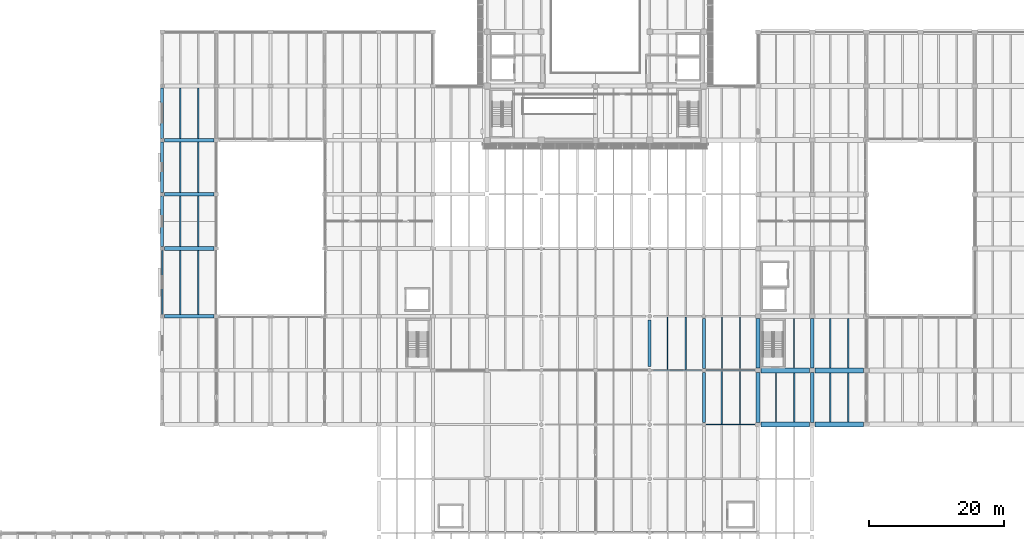
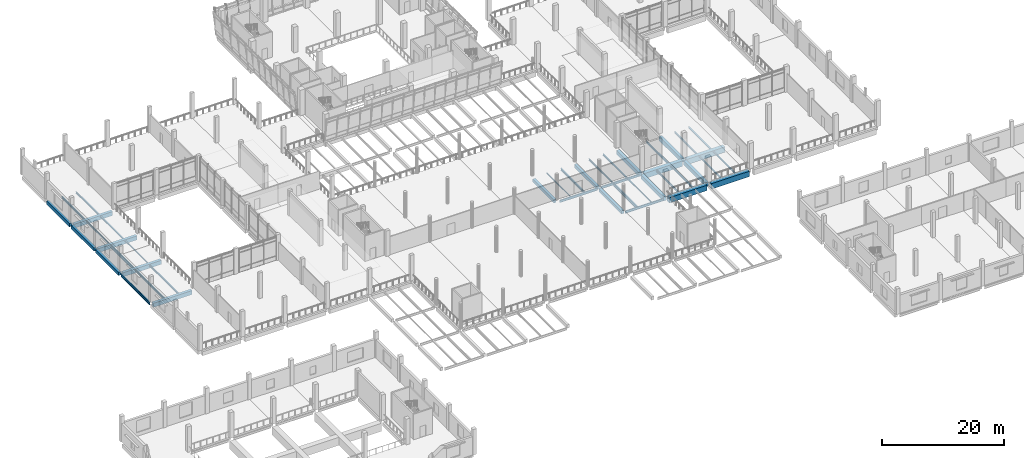
# One storey, part 7 of 61: 43 beams.
"""IFC4 building model written with IfcOpenShell, lengths in metres."""

from ifc_helpers import new_model, si_unit, direction, frame, origin, origin_2d, place, context, subcontext, project, spatial, rectangle, i_section, extrude, material, material_profile, profile_set, type_object, element, save


model = new_model("IFC4")

# Units and contexts
model_context = context("Model", 3, precision=1e-05, world=origin(), true_north=direction((0.0, 1.0)))
body_context = subcontext(model_context, "Body", "Model", "MODEL_VIEW")
ifc_project = project(units=[si_unit("LENGTHUNIT", "METRE"), si_unit("AREAUNIT", "SQUARE_METRE"), si_unit("VOLUMEUNIT", "CUBIC_METRE"), si_unit("PLANEANGLEUNIT", "RADIAN"), si_unit("MASSUNIT", "GRAM", prefix="KILO")], contexts=[model_context])

# Site, building, storey
site_placement = place(None, origin())
site = spatial("IfcSite", under=ifc_project, at=site_placement, CompositionType="ELEMENT")
building_placement = place(site_placement, origin())
building = spatial("IfcBuilding", under=site, at=building_placement, Name="Pecanmere Concourse Central Library", CompositionType="ELEMENT")
storey_placement = place(building_placement, frame((0.0, 0.0, 5.39990234375)))
storey = spatial("IfcBuildingStorey", under=building, at=storey_placement, Name="L02", CompositionType="ELEMENT", Elevation=5.39990234375)

# Beams
ifc_material_1 = material(Name="Concrete C40/50", Category="concrete")
ifc_material_profile_1 = material_profile(ifc_material_1, rectangle(XDim=0.4599609375, YDim=0.64990234375, at=origin_2d()), Name="RC 460x650")
ifc_profile_set_1 = profile_set([ifc_material_profile_1], Name="Concrete C40/50")
beam_type_1 = type_object("IfcBeamType", Name="GRD_460x650", PredefinedType="USERDEFINED", material=ifc_profile_set_1)
for number, where, z_axis, x_axis, name in (
    (1, (24.0, 74.27001953125, -0.69482421875), (0.0, 1.0, 0.0), (-1.0, 0.0, 0.0), "Primary Girder Y L02-0978"),
    (2, (24.0, 82.27001953125, -0.69482421875), (0.0, 1.0, 0.0), (-1.0, 0.0, 0.0), "Primary Girder Y L02-0979"),
    (3, (24.0, 90.27001953125, -0.69482421875), (0.0, 1.0, 0.0), (-1.0, 0.0, 0.0), "Primary Girder Y L02-0980"),
):
    element("IfcBeam", number, at=place(storey_placement, frame(where, z_axis=z_axis, x_axis=x_axis)), inside=storey, type_object=beam_type_1, Name=name, ObjectType="GIRDER", PredefinedType="USERDEFINED", context=body_context, shape_type="SweptSolid", body=[
        extrude(rectangle(XDim=0.4599609375, YDim=0.64990234375, at=origin_2d()), origin(), (0.0, 0.0, 1.0), 7.4599609375),
    ])
beam_1_placement = place(storey_placement, frame((96.0, 56.56005859375, -0.69482421875), z_axis=(0.0, 1.0, 0.0), x_axis=(-1.0, 0.0, 0.0)))
element("IfcBeam", 4, at=beam_1_placement, inside=storey, type_object=beam_type_1, Name="Primary Girder Y L02-1066", ObjectType="GIRDER", PredefinedType="USERDEFINED", context=body_context, shape_type="SweptSolid", body=[
    extrude(rectangle(XDim=0.4599609375, YDim=0.64990234375, at=origin_2d()), origin(), (0.0, 0.0, 1.0), 6.8798828125),
])
for number, where, z_axis, x_axis, name in (
    (5, (104.0, 48.31005859375, -0.69482421875), (0.0, 1.0, 0.0), (-1.0, 0.0, 0.0), "Primary Girder Y L02-1077"),
    (6, (104.0, 56.31005859375, -0.69482421875), (0.0, 1.0, 0.0), (-1.0, 0.0, 0.0), "Primary Girder Y L02-1078"),
):
    element("IfcBeam", number, at=place(storey_placement, frame(where, z_axis=z_axis, x_axis=x_axis)), inside=storey, type_object=beam_type_1, Name=name, ObjectType="GIRDER", PredefinedType="USERDEFINED", context=body_context, shape_type="SweptSolid", body=[
        extrude(rectangle(XDim=0.4599609375, YDim=0.64990234375, at=origin_2d()), origin(), (0.0, 0.0, 1.0), 7.3798828125),
    ])
ifc_material_2 = material(Name="Concrete C40/50", Category="concrete")
ifc_material_profile_2 = material_profile(ifc_material_2, rectangle(XDim=0.5400390625, YDim=0.800048828125, at=origin_2d()), Name="RC 540x800")
ifc_profile_set_2 = profile_set([ifc_material_profile_2], Name="Concrete C40/50")
beam_type_2 = type_object("IfcBeamType", Name="GRD_540x800", PredefinedType="USERDEFINED", material=ifc_profile_set_2)
for number, where, z_axis, x_axis, name in (
    (7, (24.3701171875, 64.0, -0.77001953125), (1.0, 0.0, 0.0), (0.0, 1.0, 0.0), "Primary Girder X L02-0869"),
    (8, (24.3701171875, 74.0, -0.77001953125), (1.0, 0.0, 0.0), (0.0, 1.0, 0.0), "Primary Girder X L02-0885"),
    (9, (24.3701171875, 82.0, -0.77001953125), (1.0, 0.0, 0.0), (0.0, 1.0, 0.0), "Primary Girder X L02-0897"),
    (10, (24.3701171875, 90.0, -0.77001953125), (1.0, 0.0, 0.0), (0.0, 1.0, 0.0), "Primary Girder X L02-0909"),
):
    element("IfcBeam", number, at=place(storey_placement, frame(where, z_axis=z_axis, x_axis=x_axis)), inside=storey, type_object=beam_type_2, Name=name, ObjectType="GIRDER", PredefinedType="USERDEFINED", context=body_context, shape_type="SweptSolid", body=[
        extrude(rectangle(XDim=0.5400390625, YDim=0.800048828125, at=origin_2d()), origin(), (0.0, 0.0, 1.0), 7.259765625),
    ])
ifc_material_3 = material(Name="Concrete C40/50", Category="concrete")
ifc_material_profile_3 = material_profile(ifc_material_3, rectangle(XDim=0.56005859375, YDim=0.830078125, at=origin_2d()), Name="RC 560x830")
ifc_profile_set_3 = profile_set([ifc_material_profile_3], Name="Concrete C40/50")
beam_type_3 = type_object("IfcBeamType", Name="GRD_560x830", PredefinedType="USERDEFINED", material=ifc_profile_set_3)
for number, where, z_axis, x_axis, name in (
    (11, (112.0, 48.330078125, -0.784912109375), (0.0, 1.0, 0.0), (-1.0, 0.0, 0.0), "Primary Girder Y L02-1089"),
    (12, (112.0, 56.330078125, -0.784912109375), (0.0, 1.0, 0.0), (-1.0, 0.0, 0.0), "Primary Girder Y L02-1090"),
    (13, (120.0, 48.330078125, -0.784912109375), (0.0, 1.0, 0.0), (-1.0, 0.0, 0.0), "Primary Girder Y L02-1099"),
    (14, (120.0, 56.330078125, -0.784912109375), (0.0, 1.0, 0.0), (-1.0, 0.0, 0.0), "Primary Girder Y L02-1100"),
):
    element("IfcBeam", number, at=place(storey_placement, frame(where, z_axis=z_axis, x_axis=x_axis)), inside=storey, type_object=beam_type_3, Name=name, ObjectType="GIRDER", PredefinedType="USERDEFINED", context=body_context, shape_type="SweptSolid", body=[
        extrude(rectangle(XDim=0.56005859375, YDim=0.830078125, at=origin_2d()), origin(), (0.0, 0.0, 1.0), 7.33984375),
    ])
ifc_material_4 = material(Name="Concrete C40/50", Category="concrete")
ifc_material_profile_4 = material_profile(ifc_material_4, rectangle(XDim=0.719970703125, YDim=1.080078125, at=origin_2d()), Name="RC 720x1080")
ifc_profile_set_4 = profile_set([ifc_material_profile_4], Name="Concrete C40/50")
beam_type_4 = type_object("IfcBeamType", Name="GRD_720x1080", PredefinedType="USERDEFINED", material=ifc_profile_set_4)
for number, where, z_axis, x_axis, name in (
    (15, (112.429931640625, 48.0, -0.909912109375), (1.0, 0.0, 0.0), (0.0, 1.0, 0.0), "Primary Girder X L02-0848"),
    (16, (120.429931640625, 48.0, -0.909912109375), (1.0, 0.0, 0.0), (0.0, 1.0, 0.0), "Primary Girder X L02-0849"),
    (17, (112.429931640625, 56.0, -0.909912109375), (1.0, 0.0, 0.0), (0.0, 1.0, 0.0), "Primary Girder X L02-0864"),
    (18, (120.429931640625, 56.0, -0.909912109375), (1.0, 0.0, 0.0), (0.0, 1.0, 0.0), "Primary Girder X L02-0865"),
):
    element("IfcBeam", number, at=place(storey_placement, frame(where, z_axis=z_axis, x_axis=x_axis)), inside=storey, type_object=beam_type_4, Name=name, ObjectType="GIRDER", PredefinedType="USERDEFINED", context=body_context, shape_type="SweptSolid", body=[
        extrude(rectangle(XDim=0.719970703125, YDim=1.080078125, at=origin_2d()), origin(), (0.0, 0.0, 1.0), 7.14013671875),
    ])
ifc_material_5 = material(Name="Structural steel ASTM A992 Grade 50", Category="steel")
ifc_material_profile_5 = material_profile(ifc_material_5, i_section(OverallWidth=0.152099609375, OverallDepth=0.152099609375, WebThickness=0.005859375, FlangeThickness=0.006591796875, at=origin_2d()), Name="W150x22.5")
ifc_profile_set_5 = profile_set([ifc_material_profile_5], Name="Structural steel ASTM A992 Grade 50")
beam_type_5 = type_object("IfcBeamType", Name="SBM_W150x22", PredefinedType="LINTEL", material=ifc_profile_set_5)
beam_2_placement = place(storey_placement, frame((98.666748046875, 56.096923828125, -0.44580078125), z_axis=(0.0, 1.0, 0.0), x_axis=(-1.0, 0.0, 0.0)))
element("IfcBeam", 19, at=beam_2_placement, inside=storey, type_object=beam_type_5, Name="Secondary Floor Joist L02-1333", PredefinedType="LINTEL", context=body_context, shape_type="SweptSolid", body=[
    extrude(i_section(OverallWidth=0.152099609375, OverallDepth=0.152099609375, WebThickness=0.005859375, FlangeThickness=0.006591796875, at=origin_2d()), origin(), (0.0, 0.0, 1.0), 7.80615234375),
])
ifc_material_6 = material(Name="Structural steel ASTM A992 Grade 50", Category="steel")
ifc_material_profile_6 = material_profile(ifc_material_6, i_section(OverallWidth=0.1650390625, OverallDepth=0.200927734375, WebThickness=0.006103515625, FlangeThickness=0.01025390625, at=origin_2d()), Name="W200x35.9")
ifc_profile_set_6 = profile_set([ifc_material_profile_6], Name="Structural steel ASTM A992 Grade 50")
beam_type_6 = type_object("IfcBeamType", Name="SBM_W200x36", PredefinedType="LINTEL", material=ifc_profile_set_6)
beam_3_placement = place(storey_placement, frame((29.333251953125, 74.27001953125, -0.470458984375), z_axis=(0.0, 1.0, 0.0), x_axis=(-1.0, 0.0, 0.0)))
element("IfcBeam", 20, at=beam_3_placement, inside=storey, type_object=beam_type_6, Name="Secondary Floor Joist L02-1195", PredefinedType="LINTEL", context=body_context, shape_type="SweptSolid", body=[
    extrude(i_section(OverallWidth=0.1650390625, OverallDepth=0.200927734375, WebThickness=0.006103515625, FlangeThickness=0.01025390625, at=origin_2d()), origin(), (0.0, 0.0, 1.0), 7.4599609375),
])
beam_4_placement = place(storey_placement, frame((109.333251953125, 48.096923828125, -0.470458984375), z_axis=(0.0, 1.0, 0.0), x_axis=(-1.0, 0.0, 0.0)))
element("IfcBeam", 21, at=beam_4_placement, inside=storey, type_object=beam_type_6, Name="Secondary Floor Joist L02-1352", PredefinedType="LINTEL", context=body_context, shape_type="SweptSolid", body=[
    extrude(i_section(OverallWidth=0.1650390625, OverallDepth=0.200927734375, WebThickness=0.006103515625, FlangeThickness=0.01025390625, at=origin_2d()), origin(), (0.0, 0.0, 1.0), 7.80615234375),
])
ifc_material_7 = material(Name="Structural steel ASTM A992 Grade 50", Category="steel")
ifc_material_profile_7 = material_profile(ifc_material_7, i_section(OverallWidth=0.2041015625, OverallDepth=0.2060546875, WebThickness=0.0078125, FlangeThickness=0.0126953125, at=origin_2d()), Name="W200x52")
ifc_profile_set_7 = profile_set([ifc_material_profile_7], Name="Structural steel ASTM A992 Grade 50")
beam_type_7 = type_object("IfcBeamType", Name="SBM_W200x52", PredefinedType="JOIST", material=ifc_profile_set_7)
beam_5_placement = place(storey_placement, frame((125.333251953125, 48.360107421875, -0.472900390625), z_axis=(0.0, 1.0, 0.0), x_axis=(-1.0, 0.0, 0.0)))
element("IfcBeam", 22, at=beam_5_placement, inside=storey, type_object=beam_type_7, Name="Secondary Floor Joist L02-1382", PredefinedType="JOIST", context=body_context, shape_type="SweptSolid", body=[
    extrude(i_section(OverallWidth=0.2041015625, OverallDepth=0.2060546875, WebThickness=0.0078125, FlangeThickness=0.0126953125, at=origin_2d()), origin(), (0.0, 0.0, 1.0), 7.27978515625),
])
ifc_material_8 = material(Name="Structural steel ASTM A992 Grade 50", Category="steel")
ifc_material_profile_8 = material_profile(ifc_material_8, i_section(OverallWidth=0.201904296875, OverallDepth=0.2470703125, WebThickness=0.00732421875, FlangeThickness=0.010986328125, at=origin_2d()), Name="W250x49.1")
ifc_profile_set_8 = profile_set([ifc_material_profile_8], Name="Structural steel ASTM A992 Grade 50")
beam_type_8 = type_object("IfcBeamType", Name="SBM_W250x49", PredefinedType="JOIST", material=ifc_profile_set_8)
beam_6_placement = place(storey_placement, frame((29.333251953125, 82.27001953125, -0.493408203125), z_axis=(0.0, 1.0, 0.0), x_axis=(-1.0, 0.0, 0.0)))
element("IfcBeam", 23, at=beam_6_placement, inside=storey, type_object=beam_type_8, Name="Secondary Floor Joist L02-1197", PredefinedType="JOIST", context=body_context, shape_type="SweptSolid", body=[
    extrude(i_section(OverallWidth=0.201904296875, OverallDepth=0.2470703125, WebThickness=0.00732421875, FlangeThickness=0.010986328125, at=origin_2d()), origin(), (0.0, 0.0, 1.0), 7.4599609375),
])
beam_7_placement = place(storey_placement, frame((109.333251953125, 56.096923828125, -0.493408203125), z_axis=(0.0, 1.0, 0.0), x_axis=(-1.0, 0.0, 0.0)))
element("IfcBeam", 24, at=beam_7_placement, inside=storey, type_object=beam_type_8, Name="Secondary Floor Joist L02-1354", PredefinedType="JOIST", context=body_context, shape_type="SweptSolid", body=[
    extrude(i_section(OverallWidth=0.201904296875, OverallDepth=0.2470703125, WebThickness=0.00732421875, FlangeThickness=0.010986328125, at=origin_2d()), origin(), (0.0, 0.0, 1.0), 7.80615234375),
])
beam_8_placement = place(storey_placement, frame((122.666748046875, 48.360107421875, -0.493408203125), z_axis=(0.0, 1.0, 0.0), x_axis=(-1.0, 0.0, 0.0)))
element("IfcBeam", 25, at=beam_8_placement, inside=storey, type_object=beam_type_8, Name="Secondary Floor Joist L02-1381", PredefinedType="JOIST", context=body_context, shape_type="SweptSolid", body=[
    extrude(i_section(OverallWidth=0.201904296875, OverallDepth=0.2470703125, WebThickness=0.00732421875, FlangeThickness=0.010986328125, at=origin_2d()), origin(), (0.0, 0.0, 1.0), 7.27978515625),
])
ifc_material_9 = material(Name="Structural steel ASTM A992 Grade 50", Category="steel")
ifc_material_profile_9 = material_profile(ifc_material_9, i_section(OverallWidth=0.25390625, OverallDepth=0.2529296875, WebThickness=0.008544921875, FlangeThickness=0.01416015625, at=origin_2d()), Name="W250x73")
ifc_profile_set_9 = profile_set([ifc_material_profile_9], Name="Structural steel ASTM A992 Grade 50")
beam_type_9 = type_object("IfcBeamType", Name="SBM_W250x73", PredefinedType="BEAM", material=ifc_profile_set_9)
beam_9_placement = place(storey_placement, frame((125.333251953125, 56.360107421875, -0.496337890625), z_axis=(0.0, 1.0, 0.0), x_axis=(-1.0, 0.0, 0.0)))
element("IfcBeam", 26, at=beam_9_placement, inside=storey, type_object=beam_type_9, Name="Secondary Floor Joist L02-1384", PredefinedType="BEAM", context=body_context, shape_type="SweptSolid", body=[
    extrude(i_section(OverallWidth=0.25390625, OverallDepth=0.2529296875, WebThickness=0.008544921875, FlangeThickness=0.01416015625, at=origin_2d()), origin(), (0.0, 0.0, 1.0), 7.27978515625),
])
ifc_material_10 = material(Name="Structural steel ASTM A992 Grade 50", Category="steel")
ifc_material_profile_10 = material_profile(ifc_material_10, i_section(OverallWidth=0.1669921875, OverallDepth=0.31689453125, WebThickness=0.007568359375, FlangeThickness=0.01318359375, at=origin_2d()), Name="W310x52")
ifc_profile_set_10 = profile_set([ifc_material_profile_10], Name="Structural steel ASTM A992 Grade 50")
beam_type_10 = type_object("IfcBeamType", Name="SBM_W310x52", PredefinedType="JOIST", material=ifc_profile_set_10)
beam_10_placement = place(storey_placement, frame((26.666748046875, 82.27001953125, -0.5283203125), z_axis=(0.0, 1.0, 0.0), x_axis=(-1.0, 0.0, 0.0)))
element("IfcBeam", 27, at=beam_10_placement, inside=storey, type_object=beam_type_10, Name="Secondary Floor Joist L02-1196", PredefinedType="JOIST", context=body_context, shape_type="SweptSolid", body=[
    extrude(i_section(OverallWidth=0.1669921875, OverallDepth=0.31689453125, WebThickness=0.007568359375, FlangeThickness=0.01318359375, at=origin_2d()), origin(), (0.0, 0.0, 1.0), 7.4599609375),
])
beam_11_placement = place(storey_placement, frame((106.666748046875, 56.096923828125, -0.5283203125), z_axis=(0.0, 1.0, 0.0), x_axis=(-1.0, 0.0, 0.0)))
element("IfcBeam", 28, at=beam_11_placement, inside=storey, type_object=beam_type_10, Name="Secondary Floor Joist L02-1353", PredefinedType="JOIST", context=body_context, shape_type="SweptSolid", body=[
    extrude(i_section(OverallWidth=0.1669921875, OverallDepth=0.31689453125, WebThickness=0.007568359375, FlangeThickness=0.01318359375, at=origin_2d()), origin(), (0.0, 0.0, 1.0), 7.80615234375),
])
ifc_material_11 = material(Name="Structural steel ASTM A992 Grade 50", Category="steel")
ifc_material_profile_11 = material_profile(ifc_material_11, i_section(OverallWidth=0.205078125, OverallDepth=0.31005859375, WebThickness=0.009521484375, FlangeThickness=0.016357421875, at=origin_2d()), Name="W310x74")
ifc_profile_set_11 = profile_set([ifc_material_profile_11], Name="Structural steel ASTM A992 Grade 50")
beam_type_11 = type_object("IfcBeamType", Name="SBM_W310x74", PredefinedType="BEAM", material=ifc_profile_set_11)
beam_12_placement = place(storey_placement, frame((29.333251953125, 64.27001953125, -0.52490234375), z_axis=(0.0, 1.0, 0.0), x_axis=(-1.0, 0.0, 0.0)))
element("IfcBeam", 29, at=beam_12_placement, inside=storey, type_object=beam_type_11, Name="Secondary Floor Joist L02-1193", PredefinedType="BEAM", context=body_context, shape_type="SweptSolid", body=[
    extrude(i_section(OverallWidth=0.205078125, OverallDepth=0.31005859375, WebThickness=0.009521484375, FlangeThickness=0.016357421875, at=origin_2d()), origin(), (0.0, 0.0, 1.0), 9.4599609375),
])
beam_13_placement = place(storey_placement, frame((29.333251953125, 90.27001953125, -0.52490234375), z_axis=(0.0, 1.0, 0.0), x_axis=(-1.0, 0.0, 0.0)))
element("IfcBeam", 30, at=beam_13_placement, inside=storey, type_object=beam_type_11, Name="Secondary Floor Joist L02-1199", PredefinedType="BEAM", context=body_context, shape_type="SweptSolid", body=[
    extrude(i_section(OverallWidth=0.205078125, OverallDepth=0.31005859375, WebThickness=0.009521484375, FlangeThickness=0.016357421875, at=origin_2d()), origin(), (0.0, 0.0, 1.0), 7.4599609375),
])
beam_14_placement = place(storey_placement, frame((122.666748046875, 56.360107421875, -0.52490234375), z_axis=(0.0, 1.0, 0.0), x_axis=(-1.0, 0.0, 0.0)))
element("IfcBeam", 31, at=beam_14_placement, inside=storey, type_object=beam_type_11, Name="Secondary Floor Joist L02-1383", PredefinedType="BEAM", context=body_context, shape_type="SweptSolid", body=[
    extrude(i_section(OverallWidth=0.205078125, OverallDepth=0.31005859375, WebThickness=0.009521484375, FlangeThickness=0.016357421875, at=origin_2d()), origin(), (0.0, 0.0, 1.0), 7.27978515625),
])
ifc_material_12 = material(Name="Structural steel ASTM A992 Grade 50", Category="steel")
ifc_material_profile_12 = material_profile(ifc_material_12, i_section(OverallWidth=0.202880859375, OverallDepth=0.346923828125, WebThickness=0.0078125, FlangeThickness=0.013427734375, at=origin_2d()), Name="W360x64")
ifc_profile_set_12 = profile_set([ifc_material_profile_12], Name="Structural steel ASTM A992 Grade 50")
beam_type_12 = type_object("IfcBeamType", Name="SBM_W360x64", PredefinedType="JOIST", material=ifc_profile_set_12)
beam_15_placement = place(storey_placement, frame((117.333251953125, 48.360107421875, -0.54345703125), z_axis=(0.0, 1.0, 0.0), x_axis=(-1.0, 0.0, 0.0)))
element("IfcBeam", 32, at=beam_15_placement, inside=storey, type_object=beam_type_12, Name="Secondary Floor Joist L02-1370", PredefinedType="JOIST", context=body_context, shape_type="SweptSolid", body=[
    extrude(i_section(OverallWidth=0.202880859375, OverallDepth=0.346923828125, WebThickness=0.0078125, FlangeThickness=0.013427734375, at=origin_2d()), origin(), (0.0, 0.0, 1.0), 7.27978515625),
])
ifc_material_13 = material(Name="Structural steel ASTM A992 Grade 50", Category="steel")
ifc_material_profile_13 = material_profile(ifc_material_13, i_section(OverallWidth=0.25390625, OverallDepth=0.35302734375, WebThickness=0.009521484375, FlangeThickness=0.016357421875, at=origin_2d()), Name="W360x91")
ifc_profile_set_13 = profile_set([ifc_material_profile_13], Name="Structural steel ASTM A992 Grade 50")
beam_type_13 = type_object("IfcBeamType", Name="SBM_W360x91", PredefinedType="BEAM", material=ifc_profile_set_13)
beam_16_placement = place(storey_placement, frame((26.666748046875, 64.27001953125, -0.54638671875), z_axis=(0.0, 1.0, 0.0), x_axis=(-1.0, 0.0, 0.0)))
element("IfcBeam", 33, at=beam_16_placement, inside=storey, type_object=beam_type_13, Name="Secondary Floor Joist L02-1192", PredefinedType="BEAM", context=body_context, shape_type="SweptSolid", body=[
    extrude(i_section(OverallWidth=0.25390625, OverallDepth=0.35302734375, WebThickness=0.009521484375, FlangeThickness=0.016357421875, at=origin_2d()), origin(), (0.0, 0.0, 1.0), 9.4599609375),
])
beam_17_placement = place(storey_placement, frame((26.666748046875, 90.27001953125, -0.54638671875), z_axis=(0.0, 1.0, 0.0), x_axis=(-1.0, 0.0, 0.0)))
element("IfcBeam", 34, at=beam_17_placement, inside=storey, type_object=beam_type_13, Name="Secondary Floor Joist L02-1198", PredefinedType="BEAM", context=body_context, shape_type="SweptSolid", body=[
    extrude(i_section(OverallWidth=0.25390625, OverallDepth=0.35302734375, WebThickness=0.009521484375, FlangeThickness=0.016357421875, at=origin_2d()), origin(), (0.0, 0.0, 1.0), 7.4599609375),
])
ifc_material_14 = material(Name="Structural steel ASTM A992 Grade 50", Category="steel")
ifc_material_profile_14 = material_profile(ifc_material_14, i_section(OverallWidth=0.177978515625, OverallDepth=0.406982421875, WebThickness=0.0078125, FlangeThickness=0.0126953125, at=origin_2d()), Name="W410x60")
ifc_profile_set_14 = profile_set([ifc_material_profile_14], Name="Structural steel ASTM A992 Grade 50")
beam_type_14 = type_object("IfcBeamType", Name="SBM_W410x60", PredefinedType="JOIST", material=ifc_profile_set_14)
beam_18_placement = place(storey_placement, frame((101.333251953125, 56.096923828125, -0.573486328125), z_axis=(0.0, 1.0, 0.0), x_axis=(-1.0, 0.0, 0.0)))
element("IfcBeam", 35, at=beam_18_placement, inside=storey, type_object=beam_type_14, Name="Secondary Floor Joist L02-1334", PredefinedType="JOIST", context=body_context, shape_type="SweptSolid", body=[
    extrude(i_section(OverallWidth=0.177978515625, OverallDepth=0.406982421875, WebThickness=0.0078125, FlangeThickness=0.0126953125, at=origin_2d()), origin(), (0.0, 0.0, 1.0), 7.80615234375),
])
beam_19_placement = place(storey_placement, frame((114.666748046875, 48.360107421875, -0.573486328125), z_axis=(0.0, 1.0, 0.0), x_axis=(-1.0, 0.0, 0.0)))
element("IfcBeam", 36, at=beam_19_placement, inside=storey, type_object=beam_type_14, Name="Secondary Floor Joist L02-1369", PredefinedType="JOIST", context=body_context, shape_type="SweptSolid", body=[
    extrude(i_section(OverallWidth=0.177978515625, OverallDepth=0.406982421875, WebThickness=0.0078125, FlangeThickness=0.0126953125, at=origin_2d()), origin(), (0.0, 0.0, 1.0), 7.27978515625),
])
ifc_material_15 = material(Name="Structural steel ASTM A992 Grade 50", Category="steel")
ifc_material_profile_15 = material_profile(ifc_material_15, i_section(OverallWidth=0.180908203125, OverallDepth=0.4169921875, WebThickness=0.010986328125, FlangeThickness=0.018310546875, at=origin_2d()), Name="W410x85")
ifc_profile_set_15 = profile_set([ifc_material_profile_15], Name="Structural steel ASTM A992 Grade 50")
beam_type_15 = type_object("IfcBeamType", Name="SBM_W410x85", PredefinedType="BEAM", material=ifc_profile_set_15)
beam_20_placement = place(storey_placement, frame((117.333251953125, 56.360107421875, -0.578369140625), z_axis=(0.0, 1.0, 0.0), x_axis=(-1.0, 0.0, 0.0)))
element("IfcBeam", 37, at=beam_20_placement, inside=storey, type_object=beam_type_15, Name="Secondary Floor Joist L02-1371", PredefinedType="BEAM", context=body_context, shape_type="SweptSolid", body=[
    extrude(i_section(OverallWidth=0.180908203125, OverallDepth=0.4169921875, WebThickness=0.010986328125, FlangeThickness=0.018310546875, at=origin_2d()), origin(), (0.0, 0.0, 1.0), 7.27978515625),
])
ifc_material_16 = material(Name="Structural steel ASTM A992 Grade 50", Category="steel")
ifc_material_profile_16 = material_profile(ifc_material_16, i_section(OverallWidth=0.194091796875, OverallDepth=0.468994140625, WebThickness=0.0126953125, FlangeThickness=0.0205078125, at=origin_2d()), Name="W460x106")
ifc_profile_set_16 = profile_set([ifc_material_profile_16], Name="Structural steel ASTM A992 Grade 50")
beam_type_16 = type_object("IfcBeamType", Name="SBM_W460x106", PredefinedType="USERDEFINED", material=ifc_profile_set_16)
beam_21_placement = place(storey_placement, frame((104.31005859375, 48.0, -0.6044921875), z_axis=(1.0, 0.0, 0.0), x_axis=(0.0, 1.0, 0.0)))
element("IfcBeam", 38, at=beam_21_placement, inside=storey, type_object=beam_type_16, Name="Primary Girder X L02-0847", ObjectType="GIRDER", PredefinedType="USERDEFINED", context=body_context, shape_type="SweptSolid", body=[
    extrude(i_section(OverallWidth=0.194091796875, OverallDepth=0.468994140625, WebThickness=0.0126953125, FlangeThickness=0.0205078125, at=origin_2d()), origin(), (0.0, 0.0, 1.0), 7.260009765625),
])
beam_22_placement = place(storey_placement, frame((96.56005859375, 56.0, -0.6044921875), z_axis=(1.0, 0.0, 0.0), x_axis=(0.0, 1.0, 0.0)))
element("IfcBeam", 39, at=beam_22_placement, inside=storey, type_object=beam_type_16, Name="Primary Girder X L02-0862", ObjectType="GIRDER", PredefinedType="USERDEFINED", context=body_context, shape_type="SweptSolid", body=[
    extrude(i_section(OverallWidth=0.194091796875, OverallDepth=0.468994140625, WebThickness=0.0126953125, FlangeThickness=0.0205078125, at=origin_2d()), origin(), (0.0, 0.0, 1.0), 7.1298828125),
])
beam_23_placement = place(storey_placement, frame((104.31005859375, 56.0, -0.6044921875), z_axis=(1.0, 0.0, 0.0), x_axis=(0.0, 1.0, 0.0)))
element("IfcBeam", 40, at=beam_23_placement, inside=storey, type_object=beam_type_16, Name="Primary Girder X L02-0863", ObjectType="GIRDER", PredefinedType="USERDEFINED", context=body_context, shape_type="SweptSolid", body=[
    extrude(i_section(OverallWidth=0.194091796875, OverallDepth=0.468994140625, WebThickness=0.0126953125, FlangeThickness=0.0205078125, at=origin_2d()), origin(), (0.0, 0.0, 1.0), 7.260009765625),
])
ifc_material_17 = material(Name="Structural steel ASTM A992 Grade 50", Category="steel")
ifc_material_profile_17 = material_profile(ifc_material_17, i_section(OverallWidth=0.2109375, OverallDepth=0.5390625, WebThickness=0.01171875, FlangeThickness=0.018798828125, at=origin_2d()), Name="W530x109")
ifc_profile_set_17 = profile_set([ifc_material_profile_17], Name="Structural steel ASTM A992 Grade 50")
beam_type_17 = type_object("IfcBeamType", Name="SBM_W530x109", PredefinedType="USERDEFINED", material=ifc_profile_set_17)
beam_24_placement = place(storey_placement, frame((24.0, 64.27001953125, -0.639404296875), z_axis=(0.0, 1.0, 0.0), x_axis=(-1.0, 0.0, 0.0)))
element("IfcBeam", 41, at=beam_24_placement, inside=storey, type_object=beam_type_17, Name="Primary Girder Y L02-0977", ObjectType="GIRDER", PredefinedType="USERDEFINED", context=body_context, shape_type="SweptSolid", body=[
    extrude(i_section(OverallWidth=0.2109375, OverallDepth=0.5390625, WebThickness=0.01171875, FlangeThickness=0.018798828125, at=origin_2d()), origin(), (0.0, 0.0, 1.0), 9.4599609375),
])
beam_25_placement = place(storey_placement, frame((26.666748046875, 74.27001953125, -0.639404296875), z_axis=(0.0, 1.0, 0.0), x_axis=(-1.0, 0.0, 0.0)))
element("IfcBeam", 42, at=beam_25_placement, inside=storey, type_object=beam_type_17, Name="Secondary Floor Joist L02-1194", ObjectType="GIRDER", PredefinedType="USERDEFINED", context=body_context, shape_type="SweptSolid", body=[
    extrude(i_section(OverallWidth=0.2109375, OverallDepth=0.5390625, WebThickness=0.01171875, FlangeThickness=0.018798828125, at=origin_2d()), origin(), (0.0, 0.0, 1.0), 7.4599609375),
])
beam_26_placement = place(storey_placement, frame((106.666748046875, 48.096923828125, -0.639404296875), z_axis=(0.0, 1.0, 0.0), x_axis=(-1.0, 0.0, 0.0)))
element("IfcBeam", 43, at=beam_26_placement, inside=storey, type_object=beam_type_17, Name="Secondary Floor Joist L02-1351", ObjectType="GIRDER", PredefinedType="USERDEFINED", context=body_context, shape_type="SweptSolid", body=[
    extrude(i_section(OverallWidth=0.2109375, OverallDepth=0.5390625, WebThickness=0.01171875, FlangeThickness=0.018798828125, at=origin_2d()), origin(), (0.0, 0.0, 1.0), 7.80615234375),
])

save(model, "model.ifc")
